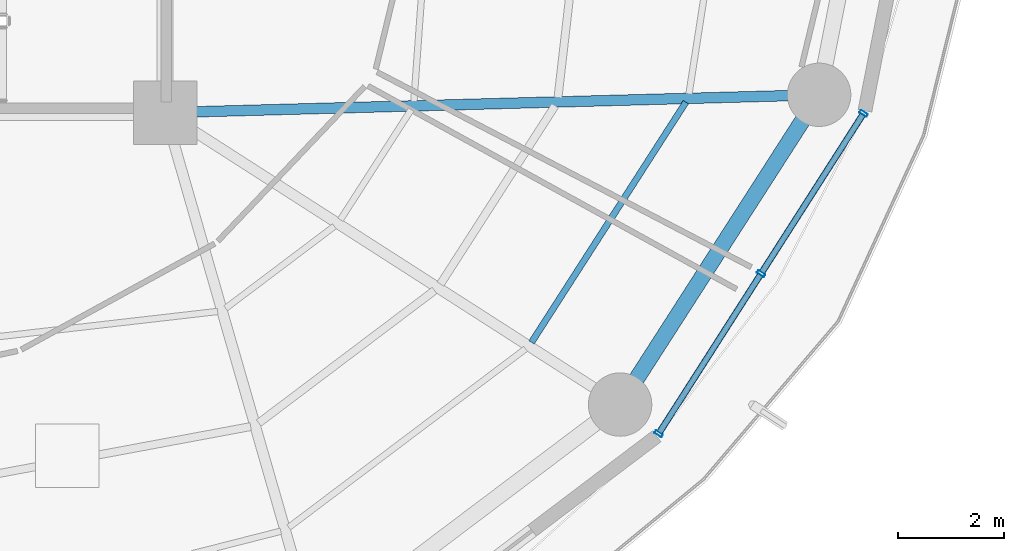
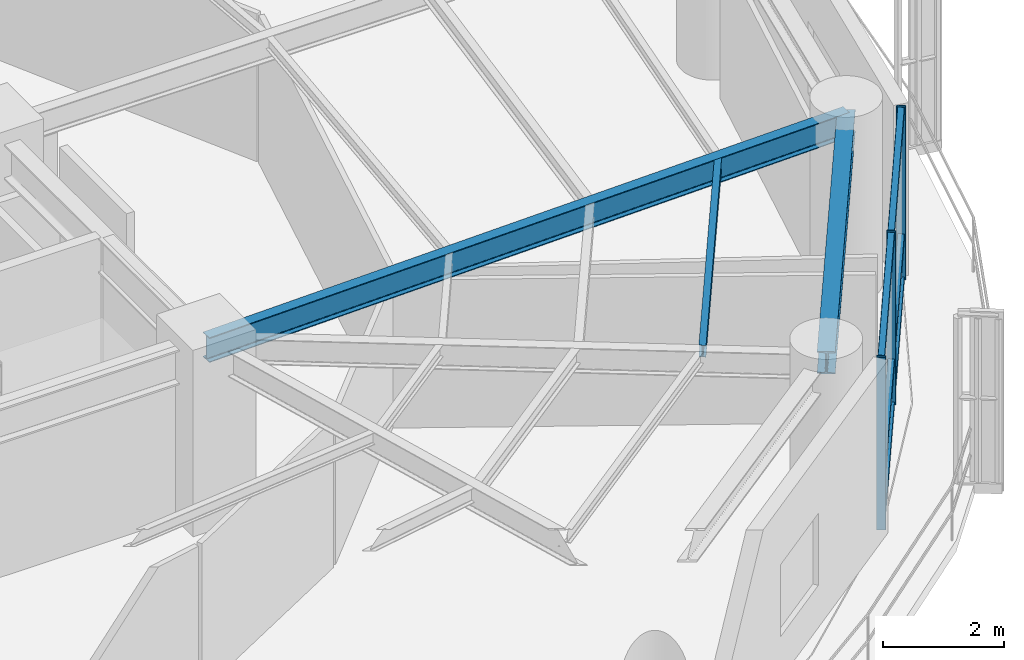
# One storey, part 11 of 27: 9 members, 3 beams, 1 element without a shape of its own.
"""IFC4 building model written with IfcOpenShell, lengths in metres."""

import ifcopenshell
import ifcopenshell.guid

model = None  # the IFC model being written
_history = None  # IfcOwnerHistory: only IFC2X3 demands one
_inside = {}  # id of a spatial element -> (the spatial element, [elements in it])
_under = {}  # id of a project, library or spatial element -> (it, [spatial elements below it])
_declared = {}  # id of a project -> (the project, [libraries it declares])
_typed = {}  # id of a type object -> (the type object, [elements of that type])
_made_of = {}  # id of a material, layer set ... -> (it, [elements and type objects made of it])


def new_model(schema):
    """Start an empty IFC model of exactly this schema.

    Asked for "IFC4X3", IfcOpenShell would pick the latest addendum, in which some entities
    have other attributes; the version numbers below select the first issue.
    IFC2X3 requires an IfcOwnerHistory on every rooted entity: one is made here for all.
    """
    global model, _history
    if schema == "IFC4X3":
        model = ifcopenshell.file(schema_version=(4, 3, 0, 0))
    else:
        model = ifcopenshell.file(schema=schema)
    _inside.clear()
    _under.clear()
    _declared.clear()
    _typed.clear()
    _made_of.clear()
    _history = None
    if model.schema == "IFC2X3":
        org = make("IfcOrganization", Name="unknown")
        user = make(
            "IfcPersonAndOrganization",
            ThePerson=make("IfcPerson", FamilyName="unknown"),
            TheOrganization=org,
        )
        app = make(
            "IfcApplication",
            ApplicationDeveloper=org,
            Version="unknown",
            ApplicationFullName="unknown",
            ApplicationIdentifier="unknown",
        )
        _history = make(
            "IfcOwnerHistory",
            OwningUser=user,
            OwningApplication=app,
            ChangeAction="ADDED",
            CreationDate=0,
        )
    return model


def make(cls, **values):
    """One entity of the class cls with the attributes given. An attribute that is None is left unset."""
    return model.create_entity(
        cls, **{name: value for name, value in values.items() if value is not None}
    )


def rooted(cls, **values):
    """An entity with a GlobalId (a new one), such as an element, a storey or a relation."""
    return make(cls, GlobalId=ifcopenshell.guid.new(), OwnerHistory=_history, **values)


def si_unit(unit_type, name, prefix=None):
    """IfcSIUnit, for example si_unit("LENGTHUNIT", "METRE", prefix="MILLI")."""
    return make("IfcSIUnit", UnitType=unit_type, Prefix=prefix, Name=name)


def assignment(units):
    """IfcUnitAssignment: the units of a project."""
    return None if units is None else make("IfcUnitAssignment", Units=units)


def point(xyz):
    """IfcCartesianPoint."""
    return None if xyz is None else make("IfcCartesianPoint", Coordinates=xyz)


def direction(xyz):
    """IfcDirection."""
    return None if xyz is None else make("IfcDirection", DirectionRatios=xyz)


def frame(location, z_axis=None, x_axis=None):
    """IfcAxis2Placement3D, a coordinate frame: its origin and axes. An axis left out is left unset."""
    return make(
        "IfcAxis2Placement3D",
        Location=point(location),
        Axis=direction(z_axis),
        RefDirection=direction(x_axis),
    )


def frame_2d(location, x_axis=None):
    """IfcAxis2Placement2D, a coordinate frame in the plane: its origin and x axis."""
    return make(
        "IfcAxis2Placement2D", Location=point(location), RefDirection=direction(x_axis)
    )


def origin():
    """The frame at (0, 0, 0) with its axes left unset."""
    return frame((0.0, 0.0, 0.0))


def origin_2d():
    """The frame at (0, 0) in the plane with its x axis left unset."""
    return frame_2d((0.0, 0.0))


def place(relative_to, where):
    """IfcLocalPlacement: puts the frame where relative to a parent placement (None: the world)."""
    return make(
        "IfcLocalPlacement", PlacementRelTo=relative_to, RelativePlacement=where
    )


def context(
    kind, dimensions, precision=None, world=None, true_north=None, identifier=None
):
    """IfcGeometricRepresentationContext, for example the 3D "Model" context."""
    return make(
        "IfcGeometricRepresentationContext",
        ContextIdentifier=identifier,
        ContextType=kind,
        CoordinateSpaceDimension=dimensions,
        Precision=precision,
        WorldCoordinateSystem=world,
        TrueNorth=true_north,
    )


def subcontext(parent, identifier, kind, view, scale=None):
    """IfcGeometricRepresentationSubContext, for example "Body" below "Model"."""
    return make(
        "IfcGeometricRepresentationSubContext",
        ContextIdentifier=identifier,
        ContextType=kind,
        ParentContext=parent,
        TargetScale=scale,
        TargetView=view,
    )


def project(units=None, contexts=None):
    """IfcProject with its units and contexts."""
    return rooted(
        "IfcProject",
        Name="project",
        RepresentationContexts=contexts,
        UnitsInContext=assignment(units),
    )


def spatial(cls, under=None, at=None, **own):
    """A site, building, storey or space (cls), placed at a placement, below another one or the project."""
    s = rooted(cls, ObjectPlacement=at, **own)
    if under is not None:
        _under.setdefault(under.id(), (under, []))[1].append(s)
    return s


def profile(cls, at=None, kind="AREA", **sizes):
    """A parametric profile (cls). Its sizes go by their IFC names, for example OverallWidth=200.0."""
    return make(cls, ProfileType=kind, Position=at, **sizes)


def hollow_rectangle(**sizes):
    """IfcRectangleHollowProfileDef."""
    return profile("IfcRectangleHollowProfileDef", **sizes)


def i_section(**sizes):
    """IfcIShapeProfileDef."""
    return profile("IfcIShapeProfileDef", **sizes)


def extrude(swept, where, along, depth):
    """IfcExtrudedAreaSolid: the profile swept, set in the frame where, extruded along a direction by depth."""
    return make(
        "IfcExtrudedAreaSolid",
        SweptArea=swept,
        Position=where,
        ExtrudedDirection=direction(along),
        Depth=depth,
    )


def shape(context_of_items, identifier, shape_type, items):
    """IfcShapeRepresentation: the items that make up one representation, for example the "Body"."""
    return make(
        "IfcShapeRepresentation",
        ContextOfItems=context_of_items,
        RepresentationIdentifier=identifier,
        RepresentationType=shape_type,
        Items=items,
    )


def material(Name=None, Category=None):
    """IfcMaterial."""
    return make("IfcMaterial", Name=Name, Category=Category)


def layer(
    of_material, thickness, ventilated=None, Name=None, Category=None, Priority=None
):
    """IfcMaterialLayer: one layer of a wall or slab, of a material (None: an air gap)."""
    return make(
        "IfcMaterialLayer",
        Material=of_material,
        LayerThickness=thickness,
        IsVentilated=ventilated,
        Name=Name,
        Category=Category,
        Priority=Priority,
    )


def layer_set(layers, Name=None):
    """IfcMaterialLayerSet."""
    return make("IfcMaterialLayerSet", MaterialLayers=layers, LayerSetName=Name)


def material_profile(
    of_material, cross_section, Name=None, Category=None, Priority=None
):
    """IfcMaterialProfile: a cross section and its material."""
    return make(
        "IfcMaterialProfile",
        Name=Name,
        Material=of_material,
        Profile=cross_section,
        Priority=Priority,
        Category=Category,
    )


def profile_set(profiles, Name=None, composite=None):
    """IfcMaterialProfileSet."""
    return make(
        "IfcMaterialProfileSet",
        Name=Name,
        MaterialProfiles=profiles,
        CompositeProfile=composite,
    )


def made_of(thing, what):
    """Note that an element or type object is made of a material, layer set ...; save() writes the relation."""
    if what is not None:
        _made_of.setdefault(what.id(), (what, []))[1].append(thing)
    return thing


def type_object(cls, material=None, **own):
    """A type object (cls), such as IfcWallType, which elements share."""
    return made_of(rooted(cls, **own), material)


def element(
    cls,
    number,
    at=None,
    inside=None,
    cuts=None,
    type_object=None,
    material=None,
    context=None,
    identifier="Body",
    shape_type=None,
    held_by="IfcProductDefinitionShape",
    body=None,
    shapes=None,
    **own,
):
    """One element of the class cls, such as IfcWall. Its Tag is "e" and its number.

    at: its placement. inside: the storey or other place that contains it. cuts: it is an
    opening in that element (IfcRelVoidsElement). A single representation is given by context,
    identifier, shape_type and body (its items); several are given by shapes. held_by: the class
    of the entity that holds the representations. save() writes the other relations.
    """
    e = rooted(cls, Tag="e%d" % number, ObjectPlacement=at, **own)
    if body is not None:
        shapes = [shape(context, identifier, shape_type, body)]
    if shapes is not None:
        e.Representation = make(held_by, Representations=shapes)
    if inside is not None:
        _inside.setdefault(inside.id(), (inside, []))[1].append(e)
    if cuts is not None:
        rooted(
            "IfcRelVoidsElement", RelatingBuildingElement=cuts, RelatedOpeningElement=e
        )
    if type_object is not None:
        _typed.setdefault(type_object.id(), (type_object, []))[1].append(e)
    return made_of(e, material)


def aggregate(whole, parts):
    """IfcRelAggregates: a whole, such as a stair, and the parts it consists of."""
    return rooted("IfcRelAggregates", RelatingObject=whole, RelatedObjects=parts)


def save(model, path):
    """Write the relations noted so far, then the file.

    IfcRelAggregates (storeys below a building ...), IfcRelContainedInSpatialStructure (elements
    in a storey), IfcRelDefinesByType, IfcRelAssociatesMaterial and IfcRelDeclares: one each for
    every whole, place, type object, material and project.
    """
    for whole, parts in _under.values():
        aggregate(whole, parts)
    for where, things in _inside.values():
        rooted(
            "IfcRelContainedInSpatialStructure",
            RelatedElements=things,
            RelatingStructure=where,
        )
    for kind, things in _typed.values():
        rooted("IfcRelDefinesByType", RelatedObjects=things, RelatingType=kind)
    for what, things in _made_of.values():
        rooted("IfcRelAssociatesMaterial", RelatedObjects=things, RelatingMaterial=what)
    for by, libraries in _declared.values():
        rooted("IfcRelDeclares", RelatingContext=by, RelatedDefinitions=libraries)
    model.write(path)


model = new_model("IFC4")

# Units and contexts
model_context = context("Model", 3, precision=1e-05, world=origin(), true_north=direction((0.0, 1.0)))
body_context = subcontext(model_context, "Body", "Model", "MODEL_VIEW")
ifc_project = project(units=[si_unit("LENGTHUNIT", "METRE"), si_unit("AREAUNIT", "SQUARE_METRE"), si_unit("VOLUMEUNIT", "CUBIC_METRE"), si_unit("PLANEANGLEUNIT", "RADIAN"), si_unit("MASSUNIT", "GRAM", prefix="KILO")], contexts=[model_context])

# Site, building, storey
site_placement = place(None, origin())
site = spatial("IfcSite", under=ifc_project, at=site_placement, CompositionType="ELEMENT")
building_placement = place(site_placement, origin())
building = spatial("IfcBuilding", under=site, at=building_placement, Name="Kelanora Arch Commons", CompositionType="ELEMENT")
storey_placement = place(building_placement, frame((0.0, 0.0, 143.10009765625)))
storey = spatial("IfcBuildingStorey", under=building, at=storey_placement, Name="L36", CompositionType="ELEMENT", Elevation=143.10009765625)

# Beams
ifc_material_1 = material(Name="Steel S355", Category="steel")
ifc_material_profile_1 = material_profile(ifc_material_1, i_section(OverallWidth=0.1201171875, OverallDepth=0.239990234375, WebThickness=0.006103515625, FlangeThickness=0.009765625, FilletRadius=0.014892578125, at=origin_2d()), Name="IPE240")
ifc_profile_set_1 = profile_set([ifc_material_profile_1], Name="Steel S355")
beam_type_1 = type_object("IfcBeamType", Name="BM-JST-02", PredefinedType="JOIST", material=ifc_profile_set_1)
beam_1_placement = place(storey_placement, frame((88.93212890625, 46.654296875, 3.369873046875), z_axis=(0.540581678156, 0.841291536414, 0.0), x_axis=(-0.841291536414, 0.540581678156, 0.0)))
element("IfcBeam", 1, at=beam_1_placement, inside=storey, type_object=beam_type_1, Name="Secondary Chord Joist BJC-32 L36", PredefinedType="JOIST", context=body_context, shape_type="SweptSolid", body=[
    extrude(i_section(OverallWidth=0.1201171875, OverallDepth=0.239990234375, WebThickness=0.006103515625, FlangeThickness=0.009765625, FilletRadius=0.014892578125, at=origin_2d()), origin(), (0.0, 0.0, 1.0), 5.4013671875),
])
ifc_material_profile_2 = material_profile(ifc_material_1, i_section(OverallWidth=0.199951171875, OverallDepth=0.5, WebThickness=0.01025390625, FlangeThickness=0.01611328125, FilletRadius=0.02099609375, at=origin_2d()), Name="IPE500")
ifc_profile_set_2 = profile_set([ifc_material_profile_2], Name="Steel S355")
beam_type_2 = type_object("IfcBeamType", Name="BM-RAD-Z3", PredefinedType="BEAM", material=ifc_profile_set_2)
beam_2_placement = place(storey_placement, frame((82.0, 51.0, 3.239990234375), z_axis=(0.999628374924, 0.027260081577, 0.0), x_axis=(-0.027260081577, 0.999628374924, 0.0)))
element("IfcBeam", 2, at=beam_2_placement, inside=storey, type_object=beam_type_2, Name="Radial Floor Girder BR-34 L36", PredefinedType="BEAM", context=body_context, shape_type="SweptSolid", body=[
    extrude(i_section(OverallWidth=0.199951171875, OverallDepth=0.5, WebThickness=0.01025390625, FlangeThickness=0.01611328125, FilletRadius=0.02099609375, at=origin_2d()), origin(), (0.0, 0.0, 1.0), 12.377197265625),
])
ifc_material_profile_3 = material_profile(ifc_material_1, i_section(OverallWidth=0.300048828125, OverallDepth=0.449951171875, WebThickness=0.013916015625, FlangeThickness=0.02587890625, FilletRadius=0.027099609375, at=origin_2d()), Name="HEB450")
ifc_profile_set_3 = profile_set([ifc_material_profile_3], Name="Steel S355")
beam_type_3 = type_object("IfcBeamType", Name="BM-SPN-Z3", PredefinedType="SPANDREL", material=ifc_profile_set_3)
beam_3_placement = place(storey_placement, frame((90.60791015625, 45.478515625, 3.264892578125), z_axis=(0.540576852469, 0.841294637196, 0.0), x_axis=(-0.841294637196, 0.540576852469, 0.0)))
element("IfcBeam", 3, at=beam_3_placement, inside=storey, type_object=beam_type_3, Name="Perimeter Spandrel Beam BS-32 L36", PredefinedType="SPANDREL", context=body_context, shape_type="SweptSolid", body=[
    extrude(i_section(OverallWidth=0.300048828125, OverallDepth=0.449951171875, WebThickness=0.013916015625, FlangeThickness=0.02587890625, FilletRadius=0.027099609375, at=origin_2d()), origin(), (0.0, 0.0, 1.0), 6.964111328125),
])

# Curtain wall, members
ifc_material_2 = material(Name="Terracotta ceramic-fritted low-E glass and aluminium", Category="masonry")
ifc_layer = layer(ifc_material_2, 0.175048828125)
ifc_layer_set = layer_set([ifc_layer], Name="Terracotta ceramic-fritted low-E glass and aluminium")
curtain_wall_type = type_object("IfcCurtainWallType", Name="CW-SYS-02", PredefinedType="NOTDEFINED", material=ifc_layer_set)
curtain_wall_placement = place(storey_placement, origin())
curtain_wall = element("IfcCurtainWall", 4, at=curtain_wall_placement, inside=storey, type_object=curtain_wall_type, Name="Unitised Curtain Wall L36-B16", PredefinedType="NOTDEFINED")
ifc_material_3 = material(Name="Powder-coated aluminium terracotta", Category="masonry")
ifc_material_profile_4 = material_profile(ifc_material_3, hollow_rectangle(XDim=0.159912109375, YDim=0.06005859375, WallThickness=0.0048828125, InnerFilletRadius=0.0048828125, OuterFilletRadius=0.010009765625, at=origin_2d()), Name="CWM160x60")
ifc_profile_set_4 = profile_set([ifc_material_profile_4], Name="Powder-coated aluminium terracotta")
member_type_1 = type_object("IfcMemberType", Name="CWM-STD", PredefinedType="MULLION", material=ifc_profile_set_4)
member_1_placement = place(storey_placement, frame((91.3369140625, 44.925048828125, 0.0), z_axis=(0.0, 0.0, 1.0), x_axis=(-0.842422846546, 0.538816988983, 0.0)))
member_1 = element("IfcMember", 5, at=member_1_placement, type_object=member_type_1, Name="CW-02 mullion 1", PredefinedType="MULLION", context=body_context, shape_type="SweptSolid", body=[
    extrude(hollow_rectangle(XDim=0.159912109375, YDim=0.06005859375, WallThickness=0.0048828125, InnerFilletRadius=0.0048828125, OuterFilletRadius=0.010009765625, at=origin_2d()), origin(), (0.0, 0.0, 1.0), 3.474853515625),
])
member_2_placement = place(storey_placement, frame((93.27490234375, 47.954833984375, 0.0), z_axis=(0.0, 0.0, 1.0), x_axis=(-0.842422846546, 0.538816988983, 0.0)))
member_2 = element("IfcMember", 6, at=member_2_placement, type_object=member_type_1, Name="CW-02 mullion 2", PredefinedType="MULLION", context=body_context, shape_type="SweptSolid", body=[
    extrude(hollow_rectangle(XDim=0.159912109375, YDim=0.06005859375, WallThickness=0.0048828125, InnerFilletRadius=0.0048828125, OuterFilletRadius=0.010009765625, at=origin_2d()), origin(), (0.0, 0.0, 1.0), 3.474853515625),
])
member_3_placement = place(storey_placement, frame((95.212890625, 50.98486328125, 0.0), z_axis=(0.0, 0.0, 1.0), x_axis=(-0.842422846546, 0.538816988983, 0.0)))
member_3 = element("IfcMember", 7, at=member_3_placement, type_object=member_type_1, Name="CW-02 mullion 3", PredefinedType="MULLION", context=body_context, shape_type="SweptSolid", body=[
    extrude(hollow_rectangle(XDim=0.159912109375, YDim=0.06005859375, WallThickness=0.0048828125, InnerFilletRadius=0.0048828125, OuterFilletRadius=0.010009765625, at=origin_2d()), origin(), (0.0, 0.0, 1.0), 3.474853515625),
])
ifc_material_profile_5 = material_profile(ifc_material_3, hollow_rectangle(XDim=0.1201171875, YDim=0.06005859375, WallThickness=0.0048828125, InnerFilletRadius=0.0048828125, OuterFilletRadius=0.010009765625, at=origin_2d()), Name="CWT120x60")
ifc_profile_set_5 = profile_set([ifc_material_profile_5], Name="Powder-coated aluminium terracotta")
member_type_2 = type_object("IfcMemberType", Name="CWT-STD", PredefinedType="USERDEFINED", material=ifc_profile_set_5)
member_4_placement = place(storey_placement, frame((91.35302734375, 44.9501953125, 0.02978515625), z_axis=(0.53883037555, 0.842414284295, 0.0), x_axis=(-0.842414284295, 0.53883037555, 0.0)))
member_4 = element("IfcMember", 8, at=member_4_placement, type_object=member_type_2, Name="CW-02 transom 1.1", ObjectType="TRANSOM", PredefinedType="USERDEFINED", context=body_context, shape_type="SweptSolid", body=[
    extrude(hollow_rectangle(XDim=0.1201171875, YDim=0.06005859375, WallThickness=0.0048828125, InnerFilletRadius=0.0048828125, OuterFilletRadius=0.010009765625, at=origin_2d()), origin(), (0.0, 0.0, 1.0), 3.536865234375),
])
member_5_placement = place(storey_placement, frame((91.35302734375, 44.9501953125, 0.89990234375), z_axis=(0.53883037555, 0.842414284295, 0.0), x_axis=(-0.842414284295, 0.53883037555, 0.0)))
member_5 = element("IfcMember", 9, at=member_5_placement, type_object=member_type_2, Name="CW-02 transom 1.2", ObjectType="TRANSOM", PredefinedType="USERDEFINED", context=body_context, shape_type="SweptSolid", body=[
    extrude(hollow_rectangle(XDim=0.1201171875, YDim=0.06005859375, WallThickness=0.0048828125, InnerFilletRadius=0.0048828125, OuterFilletRadius=0.010009765625, at=origin_2d()), origin(), (0.0, 0.0, 1.0), 3.536865234375),
])
member_6_placement = place(storey_placement, frame((91.35302734375, 44.9501953125, 3.44482421875), z_axis=(0.53883037555, 0.842414284295, 0.0), x_axis=(-0.842414284295, 0.53883037555, 0.0)))
member_6 = element("IfcMember", 10, at=member_6_placement, type_object=member_type_2, Name="CW-02 transom 1.3", ObjectType="TRANSOM", PredefinedType="USERDEFINED", context=body_context, shape_type="SweptSolid", body=[
    extrude(hollow_rectangle(XDim=0.1201171875, YDim=0.06005859375, WallThickness=0.0048828125, InnerFilletRadius=0.0048828125, OuterFilletRadius=0.010009765625, at=origin_2d()), origin(), (0.0, 0.0, 1.0), 3.536865234375),
])
member_7_placement = place(storey_placement, frame((93.291015625, 47.980224609375, 0.02978515625), z_axis=(0.53883037555, 0.842414284295, 0.0), x_axis=(-0.842414284295, 0.53883037555, 0.0)))
member_7 = element("IfcMember", 11, at=member_7_placement, type_object=member_type_2, Name="CW-02 transom 2.1", ObjectType="TRANSOM", PredefinedType="USERDEFINED", context=body_context, shape_type="SweptSolid", body=[
    extrude(hollow_rectangle(XDim=0.1201171875, YDim=0.06005859375, WallThickness=0.0048828125, InnerFilletRadius=0.0048828125, OuterFilletRadius=0.010009765625, at=origin_2d()), origin(), (0.0, 0.0, 1.0), 3.536865234375),
])
member_8_placement = place(storey_placement, frame((93.291015625, 47.980224609375, 0.89990234375), z_axis=(0.53883037555, 0.842414284295, 0.0), x_axis=(-0.842414284295, 0.53883037555, 0.0)))
member_8 = element("IfcMember", 12, at=member_8_placement, type_object=member_type_2, Name="CW-02 transom 2.2", ObjectType="TRANSOM", PredefinedType="USERDEFINED", context=body_context, shape_type="SweptSolid", body=[
    extrude(hollow_rectangle(XDim=0.1201171875, YDim=0.06005859375, WallThickness=0.0048828125, InnerFilletRadius=0.0048828125, OuterFilletRadius=0.010009765625, at=origin_2d()), origin(), (0.0, 0.0, 1.0), 3.536865234375),
])
member_9_placement = place(storey_placement, frame((93.291015625, 47.980224609375, 3.44482421875), z_axis=(0.53883037555, 0.842414284295, 0.0), x_axis=(-0.842414284295, 0.53883037555, 0.0)))
member_9 = element("IfcMember", 13, at=member_9_placement, type_object=member_type_2, Name="CW-02 transom 2.3", ObjectType="TRANSOM", PredefinedType="USERDEFINED", context=body_context, shape_type="SweptSolid", body=[
    extrude(hollow_rectangle(XDim=0.1201171875, YDim=0.06005859375, WallThickness=0.0048828125, InnerFilletRadius=0.0048828125, OuterFilletRadius=0.010009765625, at=origin_2d()), origin(), (0.0, 0.0, 1.0), 3.536865234375),
])
aggregate(curtain_wall, [member_1, member_2, member_3, member_4, member_5, member_6, member_7, member_8, member_9])

save(model, "model.ifc")
